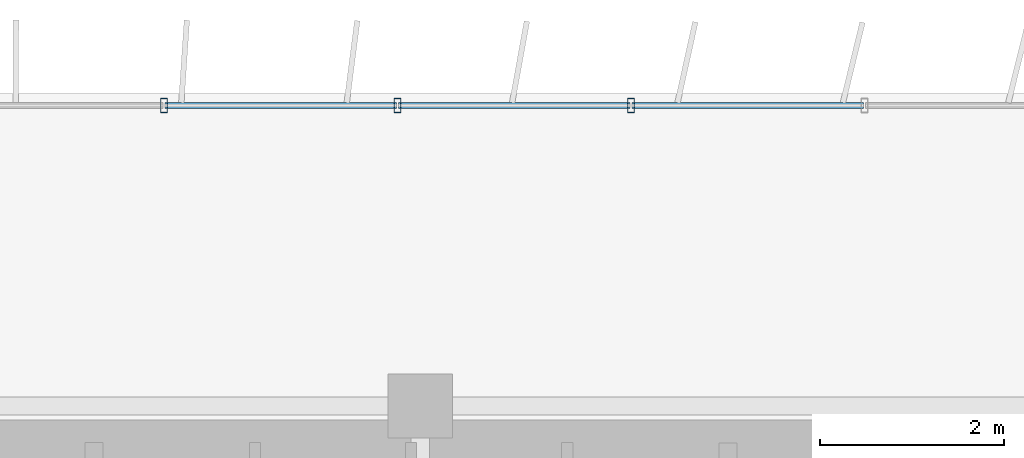
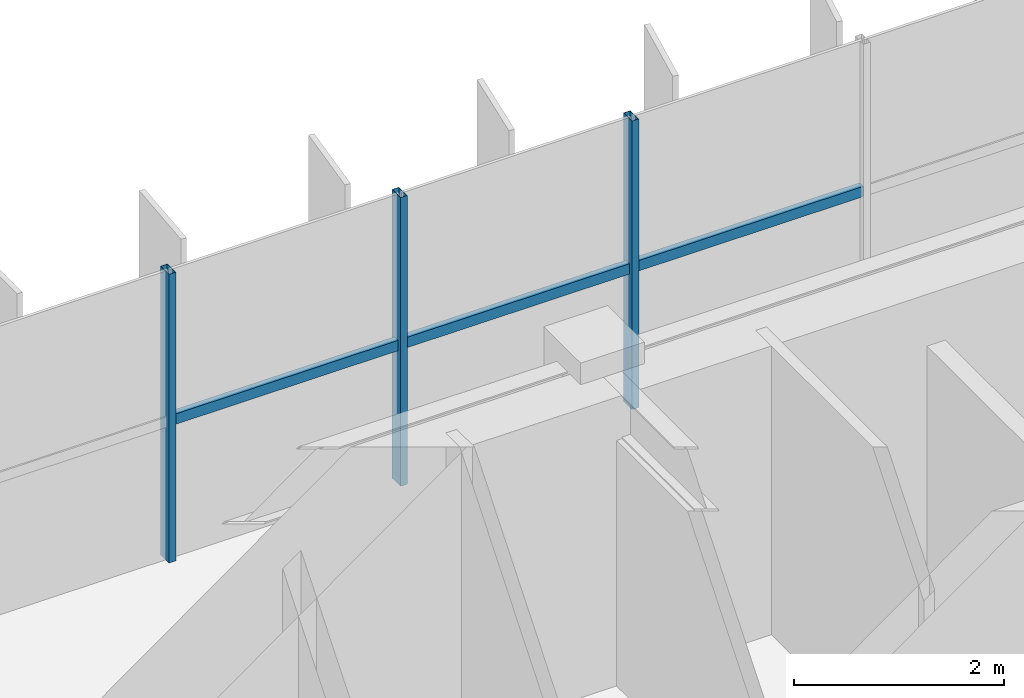
# One storey, part 12 of 24: 6 members, 1 element without a shape of its own.
"""IFC4 building model written with IfcOpenShell, lengths in metres."""

from ifc_helpers import new_model, si_unit, direction, frame, origin, origin_2d, place, context, subcontext, project, spatial, hollow_rectangle, extrude, source, transform, mapped, material, material_profile, profile_set, type_object, element, aggregate, save


model = new_model("IFC4")

# Units and contexts
model_context = context("Model", 3, precision=1e-05, world=origin(), true_north=direction((0.0, 1.0)))
body_context = subcontext(model_context, "Body", "Model", "MODEL_VIEW")
ifc_project = project(units=[si_unit("LENGTHUNIT", "METRE"), si_unit("AREAUNIT", "SQUARE_METRE"), si_unit("VOLUMEUNIT", "CUBIC_METRE"), si_unit("PLANEANGLEUNIT", "RADIAN"), si_unit("MASSUNIT", "GRAM", prefix="KILO")], contexts=[model_context])

# Site, building, storey
site_placement = place(None, origin())
site = spatial("IfcSite", under=ifc_project, at=site_placement, CompositionType="ELEMENT")
building_placement = place(site_placement, origin())
building = spatial("IfcBuilding", under=site, at=building_placement, Name="Trelvane Seafront Commons", CompositionType="ELEMENT")
storey_placement = place(building_placement, frame((0.0, 0.0, 175.300048828125)))
storey = spatial("IfcBuildingStorey", under=building, at=storey_placement, Name="L46", CompositionType="ELEMENT", Elevation=175.300048828125)

# Curtain wall, members
ifc_material = material(Name="Anodised pale-silver aluminium", Category="aluminium")
curtain_wall_type = type_object("IfcCurtainWallType", Name="ARCH-CW5-UPTOWER", PredefinedType="NOTDEFINED", material=ifc_material)
curtain_wall_placement = place(storey_placement, origin())
curtain_wall = element("IfcCurtainWall", 1, at=curtain_wall_placement, inside=storey, type_object=curtain_wall_type, Name="CW-L46-0073", PredefinedType="NOTDEFINED")
ifc_material_profile_1 = material_profile(ifc_material, hollow_rectangle(XDim=0.070068359375, YDim=0.1201171875, WallThickness=0.00390625, at=origin_2d()), Name="TRAN-70x120x4")
ifc_profile_set_1 = profile_set([ifc_material_profile_1], Name="Anodised pale-silver aluminium")
member_type_1 = type_object("IfcMemberType", Name="ARCH-CW-TRAN-120", PredefinedType="USERDEFINED", material=ifc_profile_set_1)
shared_shape_1 = source(origin(), body_context, "Body", "SweptSolid", [
    extrude(hollow_rectangle(XDim=0.070068359375, YDim=0.1201171875, WallThickness=0.00390625, at=origin_2d()), origin(), (0.0, 0.0, 1.0), 2.51708984375),
])
member_1_placement = place(storey_placement, frame((43.56494140625, 48.3701171875, 1.60791015625), z_axis=(1.0, 0.0, 0.0), x_axis=(0.0, 1.0, 0.0)))
member_1 = element("IfcMember", 2, at=member_1_placement, type_object=member_type_1, Name="CW-L46-0073-T11", ObjectType="TRANSOM", PredefinedType="USERDEFINED", context=body_context, shape_type="MappedRepresentation", body=[
    mapped(shared_shape_1, transform((0.0, 0.0, 0.0), x_axis=(1.0, 0.0, 0.0), y_axis=(0.0, 1.0, 0.0), z_axis=(0.0, 0.0, 1.0), scale=1.0)),
])
member_2_placement = place(storey_placement, frame((46.106201171875, 48.3701171875, 1.60791015625), z_axis=(1.0, 0.0, 0.0), x_axis=(0.0, 1.0, 0.0)))
member_2 = element("IfcMember", 3, at=member_2_placement, type_object=member_type_1, Name="CW-L46-0073-T12", ObjectType="TRANSOM", PredefinedType="USERDEFINED", context=body_context, shape_type="MappedRepresentation", body=[
    mapped(shared_shape_1, transform((0.0, 0.0, 0.0), x_axis=(1.0, 0.0, 0.0), y_axis=(0.0, 1.0, 0.0), z_axis=(0.0, 0.0, 1.0), scale=1.0)),
])
shared_shape_2 = source(origin(), body_context, "Body", "SweptSolid", [
    extrude(hollow_rectangle(XDim=0.070068359375, YDim=0.1201171875, WallThickness=0.00390625, at=origin_2d()), origin(), (0.0, 0.0, 1.0), 2.517333984375),
])
member_3_placement = place(storey_placement, frame((41.023681640625, 48.3701171875, 1.60791015625), z_axis=(1.0, 0.0, 0.0), x_axis=(0.0, 1.0, 0.0)))
member_3 = element("IfcMember", 4, at=member_3_placement, type_object=member_type_1, Name="CW-L46-0073-T10", ObjectType="TRANSOM", PredefinedType="USERDEFINED", context=body_context, shape_type="MappedRepresentation", body=[
    mapped(shared_shape_2, transform((0.0, 0.0, 0.0), x_axis=(1.0, 0.0, 0.0), y_axis=(0.0, 1.0, 0.0), z_axis=(0.0, 0.0, 1.0), scale=1.0)),
])
ifc_material_profile_2 = material_profile(ifc_material, hollow_rectangle(XDim=0.074951171875, YDim=0.159912109375, WallThickness=0.00390625, at=origin_2d()), Name="MULL-75x160x4")
ifc_profile_set_2 = profile_set([ifc_material_profile_2], Name="Anodised pale-silver aluminium")
member_type_2 = type_object("IfcMemberType", Name="ARCH-CW-MULL-160", PredefinedType="MULLION", material=ifc_profile_set_2)
shared_shape_3 = source(origin(), body_context, "Body", "SweptSolid", [
    extrude(hollow_rectangle(XDim=0.074951171875, YDim=0.159912109375, WallThickness=0.00390625, at=origin_2d()), origin(), (0.0, 0.0, 1.0), 3.349853515625),
])
member_4_placement = place(storey_placement, frame((41.01171875, 48.3701171875, 0.0), z_axis=(0.0, 0.0, 1.0), x_axis=(1.0, 0.0, 0.0)))
member_4 = element("IfcMember", 5, at=member_4_placement, type_object=member_type_2, Name="CW-L46-0073-M10", PredefinedType="MULLION", context=body_context, shape_type="MappedRepresentation", body=[
    mapped(shared_shape_3, transform((0.0, 0.0, 0.0), x_axis=(1.0, 0.0, 0.0), y_axis=(0.0, 1.0, 0.0), z_axis=(0.0, 0.0, 1.0), scale=1.0)),
])
member_5_placement = place(storey_placement, frame((43.552978515625, 48.3701171875, 0.0), z_axis=(0.0, 0.0, 1.0), x_axis=(1.0, 0.0, 0.0)))
member_5 = element("IfcMember", 6, at=member_5_placement, type_object=member_type_2, Name="CW-L46-0073-M11", PredefinedType="MULLION", context=body_context, shape_type="MappedRepresentation", body=[
    mapped(shared_shape_3, transform((0.0, 0.0, 0.0), x_axis=(1.0, 0.0, 0.0), y_axis=(0.0, 1.0, 0.0), z_axis=(0.0, 0.0, 1.0), scale=1.0)),
])
member_6_placement = place(storey_placement, frame((46.093994140625, 48.3701171875, 0.0), z_axis=(0.0, 0.0, 1.0), x_axis=(1.0, 0.0, 0.0)))
member_6 = element("IfcMember", 7, at=member_6_placement, type_object=member_type_2, Name="CW-L46-0073-M12", PredefinedType="MULLION", context=body_context, shape_type="MappedRepresentation", body=[
    mapped(shared_shape_3, transform((0.0, 0.0, 0.0), x_axis=(1.0, 0.0, 0.0), y_axis=(0.0, 1.0, 0.0), z_axis=(0.0, 0.0, 1.0), scale=1.0)),
])
aggregate(curtain_wall, [member_4, member_5, member_6, member_3, member_1, member_2])

save(model, "model.ifc")
